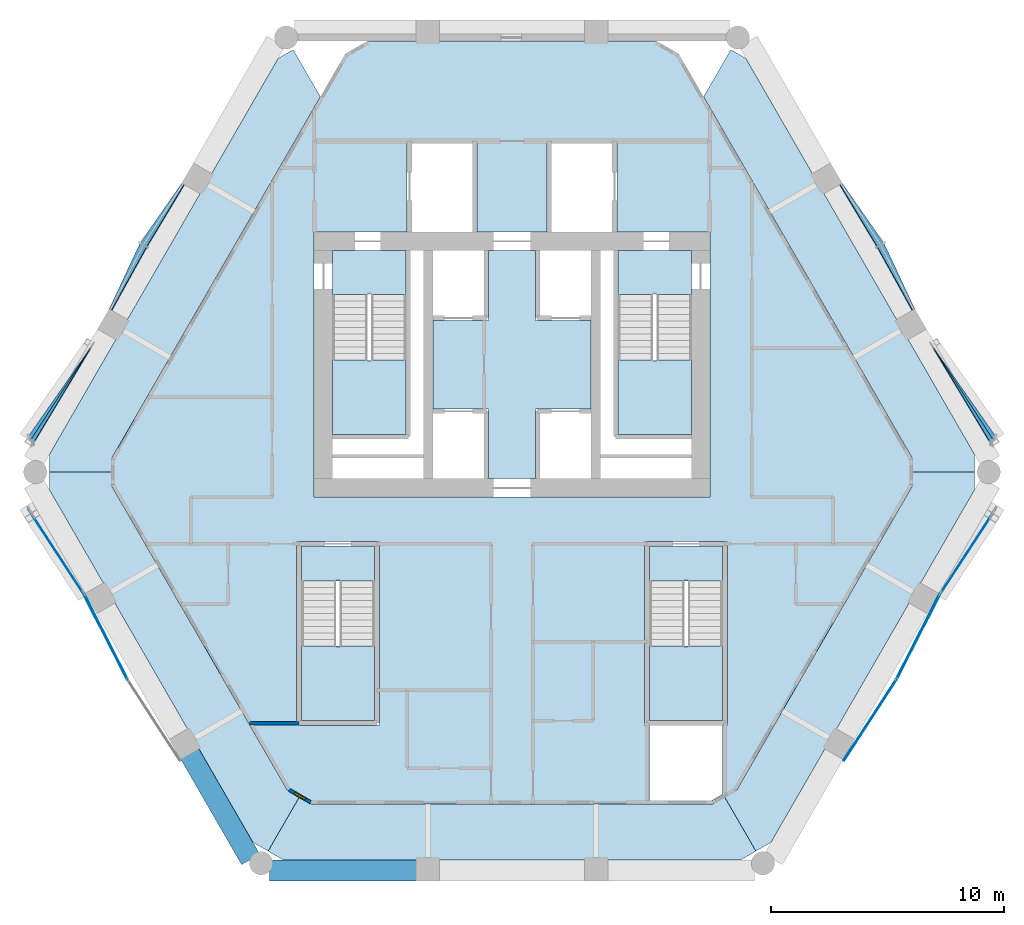
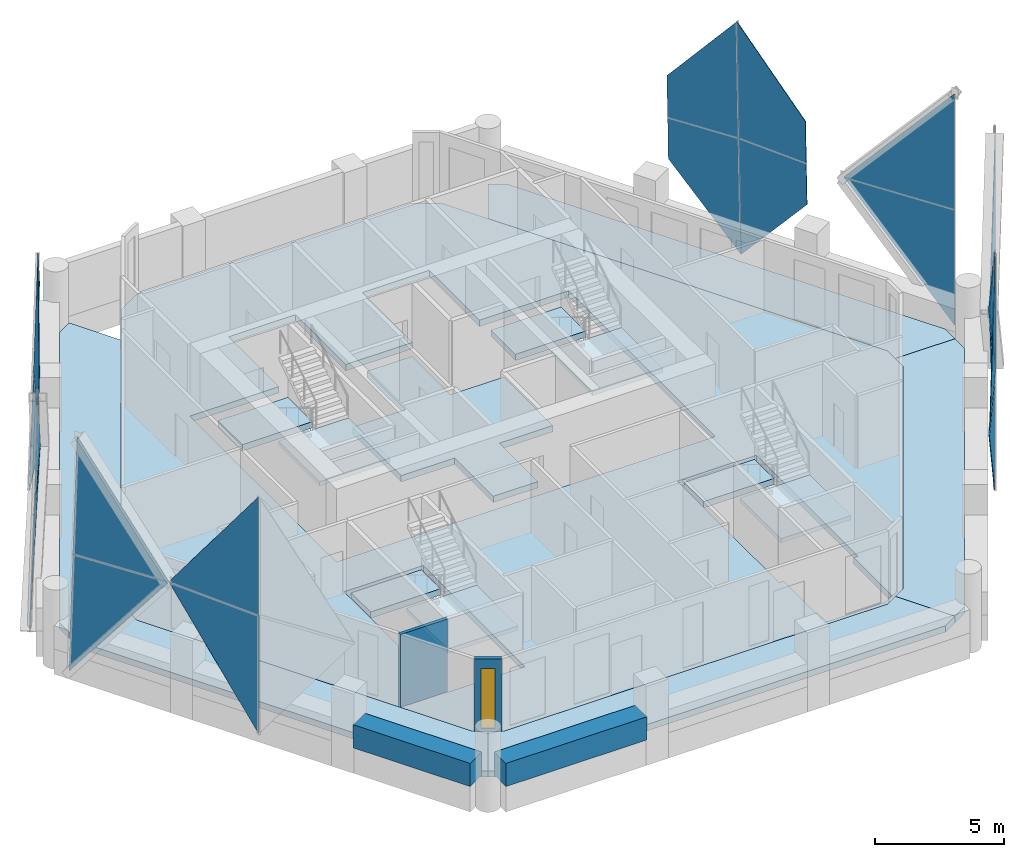
# One storey, part 6 of 13: 22 plates, 15 slabs, 4 walls, 1 window, 1 opening, 20 elements without a shape of their own.
"""IFC4 building model written with IfcOpenShell, lengths in metres."""

import ifcopenshell
import ifcopenshell.guid

model = None  # the IFC model being written
_history = None  # IfcOwnerHistory: only IFC2X3 demands one
_inside = {}  # id of a spatial element -> (the spatial element, [elements in it])
_under = {}  # id of a project, library or spatial element -> (it, [spatial elements below it])
_declared = {}  # id of a project -> (the project, [libraries it declares])
_typed = {}  # id of a type object -> (the type object, [elements of that type])
_made_of = {}  # id of a material, layer set ... -> (it, [elements and type objects made of it])


def new_model(schema):
    """Start an empty IFC model of exactly this schema.

    Asked for "IFC4X3", IfcOpenShell would pick the latest addendum, in which some entities
    have other attributes; the version numbers below select the first issue.
    IFC2X3 requires an IfcOwnerHistory on every rooted entity: one is made here for all.
    """
    global model, _history
    if schema == "IFC4X3":
        model = ifcopenshell.file(schema_version=(4, 3, 0, 0))
    else:
        model = ifcopenshell.file(schema=schema)
    _inside.clear()
    _under.clear()
    _declared.clear()
    _typed.clear()
    _made_of.clear()
    _history = None
    if model.schema == "IFC2X3":
        org = make("IfcOrganization", Name="unknown")
        user = make(
            "IfcPersonAndOrganization",
            ThePerson=make("IfcPerson", FamilyName="unknown"),
            TheOrganization=org,
        )
        app = make(
            "IfcApplication",
            ApplicationDeveloper=org,
            Version="unknown",
            ApplicationFullName="unknown",
            ApplicationIdentifier="unknown",
        )
        _history = make(
            "IfcOwnerHistory",
            OwningUser=user,
            OwningApplication=app,
            ChangeAction="ADDED",
            CreationDate=0,
        )
    return model


def make(cls, **values):
    """One entity of the class cls with the attributes given. An attribute that is None is left unset."""
    return model.create_entity(
        cls, **{name: value for name, value in values.items() if value is not None}
    )


def rooted(cls, **values):
    """An entity with a GlobalId (a new one), such as an element, a storey or a relation."""
    return make(cls, GlobalId=ifcopenshell.guid.new(), OwnerHistory=_history, **values)


def si_unit(unit_type, name, prefix=None):
    """IfcSIUnit, for example si_unit("LENGTHUNIT", "METRE", prefix="MILLI")."""
    return make("IfcSIUnit", UnitType=unit_type, Prefix=prefix, Name=name)


def assignment(units):
    """IfcUnitAssignment: the units of a project."""
    return None if units is None else make("IfcUnitAssignment", Units=units)


def point(xyz):
    """IfcCartesianPoint."""
    return None if xyz is None else make("IfcCartesianPoint", Coordinates=xyz)


def direction(xyz):
    """IfcDirection."""
    return None if xyz is None else make("IfcDirection", DirectionRatios=xyz)


def frame(location, z_axis=None, x_axis=None):
    """IfcAxis2Placement3D, a coordinate frame: its origin and axes. An axis left out is left unset."""
    return make(
        "IfcAxis2Placement3D",
        Location=point(location),
        Axis=direction(z_axis),
        RefDirection=direction(x_axis),
    )


def frame_2d(location, x_axis=None):
    """IfcAxis2Placement2D, a coordinate frame in the plane: its origin and x axis."""
    return make(
        "IfcAxis2Placement2D", Location=point(location), RefDirection=direction(x_axis)
    )


def origin():
    """The frame at (0, 0, 0) with its axes left unset."""
    return frame((0.0, 0.0, 0.0))


def place(relative_to, where):
    """IfcLocalPlacement: puts the frame where relative to a parent placement (None: the world)."""
    return make(
        "IfcLocalPlacement", PlacementRelTo=relative_to, RelativePlacement=where
    )


def context(
    kind, dimensions, precision=None, world=None, true_north=None, identifier=None
):
    """IfcGeometricRepresentationContext, for example the 3D "Model" context."""
    return make(
        "IfcGeometricRepresentationContext",
        ContextIdentifier=identifier,
        ContextType=kind,
        CoordinateSpaceDimension=dimensions,
        Precision=precision,
        WorldCoordinateSystem=world,
        TrueNorth=true_north,
    )


def subcontext(parent, identifier, kind, view, scale=None):
    """IfcGeometricRepresentationSubContext, for example "Body" below "Model"."""
    return make(
        "IfcGeometricRepresentationSubContext",
        ContextIdentifier=identifier,
        ContextType=kind,
        ParentContext=parent,
        TargetScale=scale,
        TargetView=view,
    )


def project(units=None, contexts=None):
    """IfcProject with its units and contexts."""
    return rooted(
        "IfcProject",
        Name="project",
        RepresentationContexts=contexts,
        UnitsInContext=assignment(units),
    )


def spatial(cls, under=None, at=None, **own):
    """A site, building, storey or space (cls), placed at a placement, below another one or the project."""
    s = rooted(cls, ObjectPlacement=at, **own)
    if under is not None:
        _under.setdefault(under.id(), (under, []))[1].append(s)
    return s


def polyline(points):
    """IfcPolyline through the points."""
    return make("IfcPolyline", Points=[point(p) for p in points])


def profile(cls, at=None, kind="AREA", **sizes):
    """A parametric profile (cls). Its sizes go by their IFC names, for example OverallWidth=200.0."""
    return make(cls, ProfileType=kind, Position=at, **sizes)


def rectangle(**sizes):
    """IfcRectangleProfileDef."""
    return profile("IfcRectangleProfileDef", **sizes)


def outline(outer, holes=None, kind="AREA"):
    """IfcArbitraryClosedProfileDef: a profile drawn as a closed curve; with holes, ...WithVoids."""
    if holes is None:
        return make("IfcArbitraryClosedProfileDef", ProfileType=kind, OuterCurve=outer)
    return make(
        "IfcArbitraryProfileDefWithVoids",
        ProfileType=kind,
        OuterCurve=outer,
        InnerCurves=holes,
    )


def extrude(swept, where, along, depth):
    """IfcExtrudedAreaSolid: the profile swept, set in the frame where, extruded along a direction by depth."""
    return make(
        "IfcExtrudedAreaSolid",
        SweptArea=swept,
        Position=where,
        ExtrudedDirection=direction(along),
        Depth=depth,
    )


def shape(context_of_items, identifier, shape_type, items):
    """IfcShapeRepresentation: the items that make up one representation, for example the "Body"."""
    return make(
        "IfcShapeRepresentation",
        ContextOfItems=context_of_items,
        RepresentationIdentifier=identifier,
        RepresentationType=shape_type,
        Items=items,
    )


def material(Name=None, Category=None):
    """IfcMaterial."""
    return make("IfcMaterial", Name=Name, Category=Category)


def layer(
    of_material, thickness, ventilated=None, Name=None, Category=None, Priority=None
):
    """IfcMaterialLayer: one layer of a wall or slab, of a material (None: an air gap)."""
    return make(
        "IfcMaterialLayer",
        Material=of_material,
        LayerThickness=thickness,
        IsVentilated=ventilated,
        Name=Name,
        Category=Category,
        Priority=Priority,
    )


def layer_set(layers, Name=None):
    """IfcMaterialLayerSet."""
    return make("IfcMaterialLayerSet", MaterialLayers=layers, LayerSetName=Name)


def made_of(thing, what):
    """Note that an element or type object is made of a material, layer set ...; save() writes the relation."""
    if what is not None:
        _made_of.setdefault(what.id(), (what, []))[1].append(thing)
    return thing


def type_object(cls, material=None, **own):
    """A type object (cls), such as IfcWallType, which elements share."""
    return made_of(rooted(cls, **own), material)


def element(
    cls,
    number,
    at=None,
    inside=None,
    cuts=None,
    type_object=None,
    material=None,
    context=None,
    identifier="Body",
    shape_type=None,
    held_by="IfcProductDefinitionShape",
    body=None,
    shapes=None,
    **own,
):
    """One element of the class cls, such as IfcWall. Its Tag is "e" and its number.

    at: its placement. inside: the storey or other place that contains it. cuts: it is an
    opening in that element (IfcRelVoidsElement). A single representation is given by context,
    identifier, shape_type and body (its items); several are given by shapes. held_by: the class
    of the entity that holds the representations. save() writes the other relations.
    """
    e = rooted(cls, Tag="e%d" % number, ObjectPlacement=at, **own)
    if body is not None:
        shapes = [shape(context, identifier, shape_type, body)]
    if shapes is not None:
        e.Representation = make(held_by, Representations=shapes)
    if inside is not None:
        _inside.setdefault(inside.id(), (inside, []))[1].append(e)
    if cuts is not None:
        rooted(
            "IfcRelVoidsElement", RelatingBuildingElement=cuts, RelatedOpeningElement=e
        )
    if type_object is not None:
        _typed.setdefault(type_object.id(), (type_object, []))[1].append(e)
    return made_of(e, material)


def fill(opening, filler):
    """IfcRelFillsElement: the door or window that sits in an opening."""
    return rooted(
        "IfcRelFillsElement",
        RelatingOpeningElement=opening,
        RelatedBuildingElement=filler,
    )


def aggregate(whole, parts):
    """IfcRelAggregates: a whole, such as a stair, and the parts it consists of."""
    return rooted("IfcRelAggregates", RelatingObject=whole, RelatedObjects=parts)


def save(model, path):
    """Write the relations noted so far, then the file.

    IfcRelAggregates (storeys below a building ...), IfcRelContainedInSpatialStructure (elements
    in a storey), IfcRelDefinesByType, IfcRelAssociatesMaterial and IfcRelDeclares: one each for
    every whole, place, type object, material and project.
    """
    for whole, parts in _under.values():
        aggregate(whole, parts)
    for where, things in _inside.values():
        rooted(
            "IfcRelContainedInSpatialStructure",
            RelatedElements=things,
            RelatingStructure=where,
        )
    for kind, things in _typed.values():
        rooted("IfcRelDefinesByType", RelatedObjects=things, RelatingType=kind)
    for what, things in _made_of.values():
        rooted("IfcRelAssociatesMaterial", RelatedObjects=things, RelatingMaterial=what)
    for by, libraries in _declared.values():
        rooted("IfcRelDeclares", RelatingContext=by, RelatedDefinitions=libraries)
    model.write(path)


model = new_model("IFC4")

# Units and contexts
model_context = context("Model", 3, precision=1e-05, world=origin(), true_north=direction((0.0, 1.0)))
body_context = subcontext(model_context, "Body", "Model", "MODEL_VIEW")
ifc_project = project(units=[si_unit("LENGTHUNIT", "METRE"), si_unit("AREAUNIT", "SQUARE_METRE"), si_unit("VOLUMEUNIT", "CUBIC_METRE"), si_unit("PLANEANGLEUNIT", "RADIAN"), si_unit("MASSUNIT", "GRAM", prefix="KILO")], contexts=[model_context])

# Site, building, storey
site_placement = place(None, origin())
site = spatial("IfcSite", under=ifc_project, at=site_placement, CompositionType="ELEMENT")
building_placement = place(site_placement, origin())
building = spatial("IfcBuilding", under=site, at=building_placement, Name="Ostrander Bayou Hotel Tower", CompositionType="ELEMENT")
storey_placement = place(building_placement, frame((0.0, 0.0, 187.0)))
storey = spatial("IfcBuildingStorey", under=building, at=storey_placement, Name="L46", CompositionType="ELEMENT", Elevation=187.0)

# Curtain wall, plate
ifc_material_1 = material(Name="Aluminium and clear glass", Category="aluminium")
curtain_wall_type = type_object("IfcCurtainWallType", Name="CW-LAT lattice glazing", PredefinedType="NOTDEFINED", material=ifc_material_1)
curtain_wall_1_placement = place(storey_placement, origin())
curtain_wall_1 = element("IfcCurtainWall", 1, at=curtain_wall_1_placement, inside=storey, type_object=curtain_wall_type, Name="CW-LAT L46 NW 1", PredefinedType="NOTDEFINED")
ifc_material_2 = material(Name="Clear laminated glass", Category="glass")
ifc_layer_1 = layer(ifc_material_2, 0.028076171875)
ifc_layer_set_1 = layer_set([ifc_layer_1], Name="CW-LA glazing panel 28 mm")
plate_type = type_object("IfcPlateType", Name="CW-LA glazing panel 28 mm", PredefinedType="CURTAIN_PANEL", material=ifc_layer_set_1)
plate_1_placement = place(storey_placement, frame((-14.189208984375, 11.785888671875, 3.02001953125), z_axis=(-0.838602468956, 0.54396936363, 0.029038431318), x_axis=(-0.373766781184, -0.535795511651, -0.75711396961)))
plate_1 = element("IfcPlate", 2, at=plate_1_placement, type_object=plate_type, Name="CW-LAT panel 1", PredefinedType="CURTAIN_PANEL", context=body_context, shape_type="SweptSolid", body=[
    extrude(outline(polyline([(0.0, 0.0), (4.781478234905528, 8.881784197001252e-16), (0.5136469195346458, 3.6678454354708214), (-1.5179287722609032, 1.3110363053022869), (0.0, 0.0)])), origin(), (0.0, 0.0, -1.0), 0.028076171875),
])

curtain_wall_2_placement = place(storey_placement, origin())
curtain_wall_2 = element("IfcCurtainWall", 3, at=curtain_wall_2_placement, inside=storey, type_object=curtain_wall_type, Name="CW-LAT L46 NW 2", PredefinedType="NOTDEFINED")
plate_2_placement = place(storey_placement, frame((-14.09033203125, 11.72412109375, 7.03466796875), z_axis=(-0.838616767356, 0.543946724103, 0.029049592886), x_axis=(-0.336117945339, -0.558694228961, 0.758212031919)))
plate_2 = element("IfcPlate", 4, at=plate_2_placement, type_object=plate_type, Name="CW-LAT panel 2", PredefinedType="CURTAIN_PANEL", context=body_context, shape_type="SweptSolid", body=[
    extrude(outline(polyline([(0.0, 0.0), (4.76809834277363, 0.0), (0.505056503462693, -3.673396164622437), (-1.5252028036468346, -1.3100935882440197), (0.0, 0.0)])), origin(), (0.0, 0.0, -1.0), 0.028076171875),
])

curtain_wall_3_placement = place(storey_placement, origin())
curtain_wall_3 = element("IfcCurtainWall", 5, at=curtain_wall_3_placement, inside=storey, type_object=curtain_wall_type, Name="CW-LAT L46 NW 3", PredefinedType="NOTDEFINED")
plate_3_placement = place(storey_placement, frame((-17.301513671875, 6.3955078125, 3.02001953125), z_axis=(-0.890380217309, 0.454289002308, 0.029061503851), x_axis=(0.277122256301, 0.591577990142, -0.757125311057)))
plate_3 = element("IfcPlate", 6, at=plate_3_placement, type_object=plate_type, Name="CW-LAT panel 3", PredefinedType="CURTAIN_PANEL", context=body_context, shape_type="SweptSolid", body=[
    extrude(outline(polyline([(0.0, 0.0), (4.781401169695921, -4.440892098500626e-16), (0.5133520142949435, -3.667591952245012), (-1.5193469572722185, -1.3093994580893582), (0.0, 0.0)])), origin(), (0.0, 0.0, -1.0), 0.028076171875),
])
aggregate(curtain_wall_3, [plate_3])

curtain_wall_4_placement = place(storey_placement, origin())
curtain_wall_4 = element("IfcCurtainWall", 7, at=curtain_wall_4_placement, inside=storey, type_object=curtain_wall_type, Name="CW-LAT L46 NW 4", PredefinedType="NOTDEFINED")
plate_4_placement = place(storey_placement, frame((-17.19970703125, 6.33837890625, 7.03173828125), z_axis=(-0.890383938373, 0.454282073572, 0.02905580699), x_axis=(0.315768310406, 0.570402638498, 0.7582421804)))
plate_4 = element("IfcPlate", 8, at=plate_4_placement, type_object=plate_type, Name="CW-LAT panel 4", PredefinedType="CURTAIN_PANEL", context=body_context, shape_type="SweptSolid", body=[
    extrude(outline(polyline([(0.0, 0.0), (4.771771087319028, -4.440892098500626e-16), (0.5085971194077816, 3.6732428195217177), (-1.521702969240965, 1.3096721408280203), (0.0, 0.0)])), origin(), (0.0, 0.0, -1.0), 0.028076171875),
])
aggregate(curtain_wall_4, [plate_4])

# Plate
plate_5_placement = place(storey_placement, frame((-18.035400390625, 4.82861328125, 5.02490234375), z_axis=(-0.838551868094, 0.544000445678, 0.029904508314), x_axis=(-0.370492532398, -0.52913304797, -0.763382932075)))
plate_5 = element("IfcPlate", 9, at=plate_5_placement, type_object=plate_type, Name="CW-LAT panel 5", PredefinedType="CURTAIN_PANEL", context=body_context, shape_type="SweptSolid", body=[
    extrude(outline(polyline([(0.0, 0.0), (7.368516852627291, 0.0), (3.126035352896376, 3.698331945286141), (0.0, 0.0)])), origin(), (0.0, 0.0, -1.0), 0.028076171875),
])

aggregate(curtain_wall_1, [plate_1, plate_5])

plate_6_placement = place(storey_placement, frame((-18.035400390625, 4.82861328125, 5.02490234375), z_axis=(-0.838551275777, 0.544000061419, 0.029928098305), x_axis=(-0.339681404235, -0.564971636118, 0.751946536662)))
plate_6 = element("IfcPlate", 10, at=plate_6_placement, type_object=plate_type, Name="CW-LAT panel 6", PredefinedType="CURTAIN_PANEL", context=body_context, shape_type="SweptSolid", body=[
    extrude(outline(polyline([(0.0, 0.0), (7.480585022662622, 0.0), (3.19042694915222, -3.6429290532763874), (0.0, 0.0)])), origin(), (0.0, 0.0, -1.0), 0.028076171875),
])

aggregate(curtain_wall_2, [plate_2, plate_6])

# Curtain wall, plate
curtain_wall_5_placement = place(storey_placement, origin())
curtain_wall_5 = element("IfcCurtainWall", 11, at=curtain_wall_5_placement, inside=storey, type_object=curtain_wall_type, Name="CW-LAT L46 SW 3", PredefinedType="NOTDEFINED")
plate_7_placement = place(storey_placement, frame((-18.400146484375, -5.82470703125, 5.02490234375), z_axis=(0.838037288447, 0.545610025189, 0.001789856174), x_axis=(-0.332612597638, 0.513475847469, -0.791019224772)))
plate_7 = element("IfcPlate", 12, at=plate_7_placement, type_object=plate_type, Name="CW-LAT panel 1", PredefinedType="CURTAIN_PANEL", context=body_context, shape_type="SweptSolid", body=[
    extrude(outline(polyline([(0.0, 0.0), (7.111078749854576, 0.0), (2.546178156146405, 3.292110420785706), (0.0, 0.0)])), origin(), (0.0, 0.0, -1.0), 0.028076171875),
])
aggregate(curtain_wall_5, [plate_7])

curtain_wall_6_placement = place(storey_placement, origin())
curtain_wall_6 = element("IfcCurtainWall", 13, at=curtain_wall_6_placement, inside=storey, type_object=curtain_wall_type, Name="CW-LAT L46 SW 4", PredefinedType="NOTDEFINED")
plate_8_placement = place(storey_placement, frame((-18.400146484375, -5.82470703125, 5.02490234375), z_axis=(0.838037252692, 0.54561000191, 0.001813537087), x_axis=(-0.316014019946, 0.482671178098, 0.816800877222)))
plate_8 = element("IfcPlate", 14, at=plate_8_placement, type_object=plate_type, Name="CW-LAT panel 2", PredefinedType="CURTAIN_PANEL", context=body_context, shape_type="SweptSolid", body=[
    extrude(outline(polyline([(0.0, 0.0), (6.886623358106408, -4.440892098500626e-16), (2.4010465941962913, -3.3994101661878537), (0.0, 0.0)])), origin(), (0.0, 0.0, -1.0), 0.028076171875),
])
aggregate(curtain_wall_6, [plate_8])

curtain_wall_7_placement = place(storey_placement, origin())
curtain_wall_7 = element("IfcCurtainWall", 15, at=curtain_wall_7_placement, inside=storey, type_object=curtain_wall_type, Name="CW-LAT L46 SW 1", PredefinedType="NOTDEFINED")
plate_9_placement = place(storey_placement, frame((-18.400146484375, -5.82470703125, 5.02490234375), z_axis=(-0.891534121732, -0.452953540429, 0.0), x_axis=(0.269398441938, -0.530248429236, -0.803903652669)))
plate_9 = element("IfcPlate", 16, at=plate_9_placement, type_object=plate_type, Name="CW-LAT panel 3", PredefinedType="CURTAIN_PANEL", context=body_context, shape_type="SweptSolid", body=[
    extrude(outline(polyline([(0.0, 0.0), (6.997107154978131, 0.0), (2.475149108717671, 3.3455224446803937), (0.0, 0.0)])), origin(), (0.0, 0.0, -1.0), 0.028076171875),
])
aggregate(curtain_wall_7, [plate_9])

curtain_wall_8_placement = place(storey_placement, origin())
curtain_wall_8 = element("IfcCurtainWall", 17, at=curtain_wall_8_placement, inside=storey, type_object=curtain_wall_type, Name="CW-LAT L46 SW 2", PredefinedType="NOTDEFINED")
plate_10_placement = place(storey_placement, frame((-18.400146484375, -5.82470703125, 5.02490234375), z_axis=(0.891534121732, 0.452953540429, 0.0), x_axis=(0.269398441938, -0.530248429236, 0.803903652669)))
plate_10 = element("IfcPlate", 18, at=plate_10_placement, type_object=plate_type, Name="CW-LAT panel 4", PredefinedType="CURTAIN_PANEL", context=body_context, shape_type="SweptSolid", body=[
    extrude(outline(polyline([(0.0, 0.0), (6.997107154978131, 0.0), (2.475149108717671, 3.3455224446803937), (0.0, 0.0)])), origin(), (0.0, 0.0, -1.0), 0.028076171875),
])
aggregate(curtain_wall_8, [plate_10])

curtain_wall_9_placement = place(storey_placement, origin())
curtain_wall_9 = element("IfcCurtainWall", 19, at=curtain_wall_9_placement, inside=storey, type_object=curtain_wall_type, Name="CW-LAT L46 SE 1", PredefinedType="NOTDEFINED")
plate_11_placement = place(storey_placement, frame((14.244384765625, -13.022705078125, 5.02490234375), z_axis=(0.838038630812, -0.545610899145, 0.0), x_axis=(0.324520190072, 0.49845128861, -0.803886160547)))
plate_11 = element("IfcPlate", 20, at=plate_11_placement, type_object=plate_type, Name="CW-LAT panel 1", PredefinedType="CURTAIN_PANEL", context=body_context, shape_type="SweptSolid", body=[
    extrude(outline(polyline([(0.0, 0.0), (6.997259408188533, 4.440892098500626e-16), (2.475399755111701, 3.3456554332261823), (0.0, 0.0)])), origin(), (0.0, 0.0, -1.0), 0.028076171875),
])

curtain_wall_10_placement = place(storey_placement, origin())
curtain_wall_10 = element("IfcCurtainWall", 21, at=curtain_wall_10_placement, inside=storey, type_object=curtain_wall_type, Name="CW-LAT L46 SE 2", PredefinedType="NOTDEFINED")
plate_12_placement = place(storey_placement, frame((14.244384765625, -13.022705078125, 5.02490234375), z_axis=(-0.838038630812, 0.545610899145, 0.0), x_axis=(0.324520190072, 0.49845128861, 0.803886160547)))
plate_12 = element("IfcPlate", 22, at=plate_12_placement, type_object=plate_type, Name="CW-LAT panel 2", PredefinedType="CURTAIN_PANEL", context=body_context, shape_type="SweptSolid", body=[
    extrude(outline(polyline([(0.0, 0.0), (6.997259408188533, 4.440892098500626e-16), (2.475399755111701, 3.3456554332261823), (0.0, 0.0)])), origin(), (0.0, 0.0, -1.0), 0.028076171875),
])

curtain_wall_11_placement = place(storey_placement, origin())
curtain_wall_11 = element("IfcCurtainWall", 23, at=curtain_wall_11_placement, inside=storey, type_object=curtain_wall_type, Name="CW-LAT L46 SE 3", PredefinedType="NOTDEFINED")
plate_13_placement = place(storey_placement, frame((18.400146484375, -5.82470703125, 5.02490234375), z_axis=(-0.891534121732, 0.452953540429, 0.0), x_axis=(-0.269398441938, -0.530248429236, -0.803903652669)))
plate_13 = element("IfcPlate", 24, at=plate_13_placement, type_object=plate_type, Name="CW-LAT panel 3", PredefinedType="CURTAIN_PANEL", context=body_context, shape_type="SweptSolid", body=[
    extrude(outline(polyline([(0.0, 0.0), (6.997107154978131, 0.0), (2.475149108717671, 3.3455224446803937), (0.0, 0.0)])), origin(), (0.0, 0.0, -1.0), 0.028076171875),
])
aggregate(curtain_wall_11, [plate_13])

curtain_wall_12_placement = place(storey_placement, origin())
curtain_wall_12 = element("IfcCurtainWall", 25, at=curtain_wall_12_placement, inside=storey, type_object=curtain_wall_type, Name="CW-LAT L46 SE 4", PredefinedType="NOTDEFINED")
plate_14_placement = place(storey_placement, frame((18.400146484375, -5.82470703125, 5.02490234375), z_axis=(0.891534121732, -0.452953540429, 0.0), x_axis=(-0.269398441938, -0.530248429236, 0.803903652669)))
plate_14 = element("IfcPlate", 26, at=plate_14_placement, type_object=plate_type, Name="CW-LAT panel 4", PredefinedType="CURTAIN_PANEL", context=body_context, shape_type="SweptSolid", body=[
    extrude(outline(polyline([(0.0, 0.0), (6.997107154978131, 0.0), (2.475149108717671, 3.3455224446803937), (0.0, 0.0)])), origin(), (0.0, 0.0, -1.0), 0.028076171875),
])
aggregate(curtain_wall_12, [plate_14])

# Plate
plate_15_placement = place(storey_placement, frame((18.400146484375, -5.82470703125, 5.02490234375), z_axis=(-0.838037288447, 0.545610025189, 0.001789856174), x_axis=(0.332612597638, 0.513475847469, -0.791019224772)))
plate_15 = element("IfcPlate", 27, at=plate_15_placement, type_object=plate_type, Name="CW-LAT panel 5", PredefinedType="CURTAIN_PANEL", context=body_context, shape_type="SweptSolid", body=[
    extrude(outline(polyline([(0.0, 0.0), (7.111078749854576, 0.0), (2.546178156146405, -3.292110420785706), (0.0, 0.0)])), origin(), (0.0, 0.0, -1.0), 0.028076171875),
])

aggregate(curtain_wall_9, [plate_11, plate_15])

plate_16_placement = place(storey_placement, frame((18.400146484375, -5.82470703125, 5.02490234375), z_axis=(-0.838037252692, 0.54561000191, 0.001813537087), x_axis=(0.316014019946, 0.482671178098, 0.816800877222)))
plate_16 = element("IfcPlate", 28, at=plate_16_placement, type_object=plate_type, Name="CW-LAT panel 6", PredefinedType="CURTAIN_PANEL", context=body_context, shape_type="SweptSolid", body=[
    extrude(outline(polyline([(0.0, 0.0), (6.886623358106408, 4.440892098500626e-16), (2.4010465941962913, 3.3994101661878537), (0.0, 0.0)])), origin(), (0.0, 0.0, -1.0), 0.028076171875),
])

aggregate(curtain_wall_10, [plate_12, plate_16])

# Curtain wall, plate
curtain_wall_13_placement = place(storey_placement, origin())
curtain_wall_13 = element("IfcCurtainWall", 29, at=curtain_wall_13_placement, inside=storey, type_object=curtain_wall_type, Name="CW-LAT L46 NE 3", PredefinedType="NOTDEFINED")
plate_17_placement = place(storey_placement, frame((18.035400390625, 4.82861328125, 5.02490234375), z_axis=(0.838551868094, 0.544000445678, 0.029904508314), x_axis=(0.370492532398, -0.52913304797, -0.763382932075)))
plate_17 = element("IfcPlate", 30, at=plate_17_placement, type_object=plate_type, Name="CW-LAT panel 1", PredefinedType="CURTAIN_PANEL", context=body_context, shape_type="SweptSolid", body=[
    extrude(outline(polyline([(0.0, 0.0), (7.368516852627291, 0.0), (3.126035352896376, -3.698331945286141), (0.0, 0.0)])), origin(), (0.0, 0.0, -1.0), 0.028076171875),
])

curtain_wall_14_placement = place(storey_placement, origin())
curtain_wall_14 = element("IfcCurtainWall", 31, at=curtain_wall_14_placement, inside=storey, type_object=curtain_wall_type, Name="CW-LAT L46 NE 4", PredefinedType="NOTDEFINED")
plate_18_placement = place(storey_placement, frame((18.035400390625, 4.82861328125, 5.02490234375), z_axis=(0.838551275777, 0.544000061419, 0.029928098305), x_axis=(0.339681404235, -0.564971636118, 0.751946536662)))
plate_18 = element("IfcPlate", 32, at=plate_18_placement, type_object=plate_type, Name="CW-LAT panel 2", PredefinedType="CURTAIN_PANEL", context=body_context, shape_type="SweptSolid", body=[
    extrude(outline(polyline([(0.0, 0.0), (7.480585022662622, 0.0), (3.19042694915222, 3.6429290532763874), (0.0, 0.0)])), origin(), (0.0, 0.0, -1.0), 0.028076171875),
])

curtain_wall_15_placement = place(storey_placement, origin())
curtain_wall_15 = element("IfcCurtainWall", 33, at=curtain_wall_15_placement, inside=storey, type_object=curtain_wall_type, Name="CW-LAT L46 NE 1", PredefinedType="NOTDEFINED")
plate_19_placement = place(storey_placement, frame((17.301513671875, 6.395263671875, 3.02001953125), z_axis=(0.890395777831, 0.454258654058, 0.029059147151), x_axis=(-0.277116301661, 0.591609947537, -0.757102519695)))
plate_19 = element("IfcPlate", 34, at=plate_19_placement, type_object=plate_type, Name="CW-LAT panel 3", PredefinedType="CURTAIN_PANEL", context=body_context, shape_type="SweptSolid", body=[
    extrude(outline(polyline([(0.0, 0.0), (4.781545603825103, -4.440892098500626e-16), (0.513621183686648, 3.6677371037921285), (-1.5178763123242844, 1.3111046955551622), (0.0, 0.0)])), origin(), (0.0, 0.0, -1.0), 0.028076171875),
])
aggregate(curtain_wall_15, [plate_19])

curtain_wall_16_placement = place(storey_placement, origin())
curtain_wall_16 = element("IfcCurtainWall", 35, at=curtain_wall_16_placement, inside=storey, type_object=curtain_wall_type, Name="CW-LAT L46 NE 2", PredefinedType="NOTDEFINED")
plate_20_placement = place(storey_placement, frame((17.198486328125, 6.340576171875, 7.03466796875), z_axis=(0.890397855053, 0.454257476989, 0.029013864203), x_axis=(-0.315723887003, 0.570426078018, 0.758243045924)))
plate_20 = element("IfcPlate", 36, at=plate_20_placement, type_object=plate_type, Name="CW-LAT panel 4", PredefinedType="CURTAIN_PANEL", context=body_context, shape_type="SweptSolid", body=[
    extrude(outline(polyline([(0.0, 0.0), (4.767910893659573, 0.0), (0.5047402646498689, -3.6732467002287246), (-1.5252685365125258, -1.3100050342238754), (0.0, 0.0)])), origin(), (0.0, 0.0, -1.0), 0.028076171875),
])
aggregate(curtain_wall_16, [plate_20])

# Plate
plate_21_placement = place(storey_placement, frame((14.189208984375, 11.785888671875, 3.02001953125), z_axis=(0.838602468956, 0.54396936363, 0.029038431318), x_axis=(0.373766781184, -0.535795511651, -0.75711396961)))
plate_21 = element("IfcPlate", 37, at=plate_21_placement, type_object=plate_type, Name="CW-LAT panel 5", PredefinedType="CURTAIN_PANEL", context=body_context, shape_type="SweptSolid", body=[
    extrude(outline(polyline([(0.0, 0.0), (4.781478234905528, -8.881784197001252e-16), (0.5136469195346458, -3.6678454354708214), (-1.5179287722609032, -1.3110363053022869), (0.0, 0.0)])), origin(), (0.0, 0.0, -1.0), 0.028076171875),
])

aggregate(curtain_wall_13, [plate_17, plate_21])

plate_22_placement = place(storey_placement, frame((14.09033203125, 11.72412109375, 7.03466796875), z_axis=(0.838616767356, 0.543946724103, 0.029049592886), x_axis=(0.336117945339, -0.558694228961, 0.758212031919)))
plate_22 = element("IfcPlate", 38, at=plate_22_placement, type_object=plate_type, Name="CW-LAT panel 6", PredefinedType="CURTAIN_PANEL", context=body_context, shape_type="SweptSolid", body=[
    extrude(outline(polyline([(0.0, 0.0), (4.76809834277363, 0.0), (0.505056503462693, 3.673396164622437), (-1.5252028036468346, 1.3100935882440197), (0.0, 0.0)])), origin(), (0.0, 0.0, -1.0), 0.028076171875),
])

aggregate(curtain_wall_14, [plate_18, plate_22])

# Slabs
ifc_material_3 = material(Name="Concrete f'c 40 MPa", Category="concrete")
ifc_layer_2 = layer(ifc_material_3, 0.300048828125)
ifc_layer_set_2 = layer_set([ifc_layer_2], Name="SL1 floor slab 300 mm f'c 40 MPa")
slab_type_1 = type_object("IfcSlabType", Name="SL1 floor slab 300 mm f'c 40 MPa", PredefinedType="FLOOR", material=ifc_layer_set_2)
slab_1_placement = place(storey_placement, frame((0.0, 0.0, -0.300048828125)))
element("IfcSlab", 39, at=slab_1_placement, inside=storey, type_object=slab_type_1, Name="SL1 L46 1", PredefinedType="FLOOR", context=body_context, shape_type="SweptSolid", body=[
    extrude(outline(polyline([(7.191650390625, 17.300048828125), (17.1923828125, -0.02197265625), (17.1923828125, -1.221923828125), (9.654296875, -14.278076171875), (8.614990234375, -14.878173828125), (-8.614990234375, -14.878173828125), (-9.654296875, -14.278076171875), (-17.1923828125, -1.221923828125), (-17.1923828125, -0.02197265625), (-7.191650390625, 17.300048828125), (-6.15234375, 17.89990234375), (6.15234375, 17.89990234375), (7.191650390625, 17.300048828125)]), holes=[polyline([(9.050048828125, -11.5), (9.25, -11.5), (9.25, -3.60009765625), (5.699951171875, -3.60009765625), (5.699951171875, -11.5), (5.89990234375, -11.5), (5.89990234375, -14.72802734375), (8.574951171875, -14.72802734375), (9.050048828125, -14.453857421875), (9.050048828125, -11.5)]), polyline([(-8.5, -1.699951171875), (8.5, -1.699951171875), (8.5, 9.699951171875), (4.5, 9.699951171875), (4.5, 13.60009765625), (1.5, 13.60009765625), (1.5, 9.699951171875), (-1.5, 9.699951171875), (-1.5, 13.60009765625), (-4.5, 13.60009765625), (-4.5, 9.699951171875), (-8.5, 9.699951171875), (-8.5, -1.699951171875)]), polyline([(-5.699951171875, -3.60009765625), (-9.25, -3.60009765625), (-9.25, -11.5), (-5.699951171875, -11.5), (-5.699951171875, -3.60009765625)])]), origin(), (0.0, 0.0, 1.0), 0.300048828125),
])
slab_2_placement = place(storey_placement, frame((0.0, 0.0, -0.300048828125)))
element("IfcSlab", 40, at=slab_2_placement, inside=storey, type_object=slab_type_1, Name="cslab:L46:001", PredefinedType="FLOOR", context=body_context, shape_type="SweptSolid", body=[
    extrude(outline(polyline([(-3.39990234375, 5.89990234375), (-1.0, 5.89990234375), (-1.0, 8.89990234375), (1.0, 8.89990234375), (1.0, 5.89990234375), (3.39990234375, 5.89990234375), (3.39990234375, 2.10009765625), (1.0, 2.10009765625), (1.0, -0.89990234375), (-1.0, -0.89990234375), (-1.0, 2.10009765625), (-3.39990234375, 2.10009765625), (-3.39990234375, 5.89990234375)])), origin(), (0.0, 0.0, 1.0), 0.300048828125),
])
slab_3_placement = place(storey_placement, frame((0.0, 0.0, -0.300048828125)))
element("IfcSlab", 41, at=slab_3_placement, inside=storey, type_object=slab_type_1, Name="cslab:L46:002", PredefinedType="FLOOR", context=body_context, shape_type="SweptSolid", body=[
    extrude(outline(polyline([(-4.550048828125, 7.0), (-4.550048828125, 8.89990234375), (-7.699951171875, 8.89990234375), (-7.699951171875, 7.0), (-4.550048828125, 7.0)])), origin(), (0.0, 0.0, 1.0), 0.300048828125),
])
slab_4_placement = place(storey_placement, frame((0.0, 0.0, -0.300048828125)))
element("IfcSlab", 42, at=slab_4_placement, inside=storey, type_object=slab_type_1, Name="cslab:L46:003", PredefinedType="FLOOR", context=body_context, shape_type="SweptSolid", body=[
    extrude(outline(polyline([(7.699951171875, 7.0), (7.699951171875, 8.89990234375), (4.550048828125, 8.89990234375), (4.550048828125, 7.0), (7.699951171875, 7.0)])), origin(), (0.0, 0.0, 1.0), 0.300048828125),
])
slab_5_placement = place(storey_placement, frame((0.0, 0.0, -0.300048828125)))
element("IfcSlab", 43, at=slab_5_placement, inside=storey, type_object=slab_type_1, Name="cslab:L46:004", PredefinedType="FLOOR", context=body_context, shape_type="SweptSolid", body=[
    extrude(outline(polyline([(9.050048828125, -5.300048828125), (9.050048828125, -3.800048828125), (5.89990234375, -3.800048828125), (5.89990234375, -5.300048828125), (9.050048828125, -5.300048828125)])), origin(), (0.0, 0.0, 1.0), 0.300048828125),
])
slab_6_placement = place(storey_placement, frame((0.0, 0.0, -0.300048828125)))
element("IfcSlab", 44, at=slab_6_placement, inside=storey, type_object=slab_type_1, Name="cslab:L46:005", PredefinedType="FLOOR", context=body_context, shape_type="SweptSolid", body=[
    extrude(outline(polyline([(-5.89990234375, -5.300048828125), (-5.89990234375, -3.800048828125), (-9.050048828125, -3.800048828125), (-9.050048828125, -5.300048828125), (-5.89990234375, -5.300048828125)])), origin(), (0.0, 0.0, 1.0), 0.300048828125),
])
ifc_material_4 = material(Name="Concrete f'c 40 MPa", Category="concrete")
ifc_layer_3 = layer(ifc_material_4, 0.300048828125)
ifc_layer_set_3 = layer_set([ifc_layer_3], Name="SL4 loggia slab 300 mm f'c 40 MPa")
slab_type_2 = type_object("IfcSlabType", Name="SL4 loggia slab 300 mm f'c 40 MPa", PredefinedType="FLOOR", material=ifc_layer_set_3)
slab_7_placement = place(storey_placement, frame((0.0, 0.0, -0.300048828125)))
element("IfcSlab", 45, at=slab_7_placement, inside=storey, type_object=slab_type_2, Name="SL4 LOGGIA L46 NW 1", PredefinedType="FLOOR", context=body_context, shape_type="SweptSolid", body=[
    extrude(outline(polyline([(-19.877197265625, -0.621826171875), (-19.877197265625, 0.128173828125), (-10.049560546875, 17.14990234375), (-9.39990234375, 17.52490234375), (-8.23095703125, 15.5), (-17.1923828125, -0.02197265625), (-17.1923828125, -0.621826171875), (-19.877197265625, -0.621826171875)])), origin(), (0.0, 0.0, 1.0), 0.300048828125),
])
slab_8_placement = place(storey_placement, frame((0.0, 0.0, -0.300048828125)))
element("IfcSlab", 46, at=slab_8_placement, inside=storey, type_object=slab_type_2, Name="SL4 LOGGIA L46 SW 1", PredefinedType="FLOOR", context=body_context, shape_type="SweptSolid", body=[
    extrude(outline(polyline([(-9.134765625, -14.578125), (-10.47705078125, -16.903076171875), (-11.126708984375, -16.528076171875), (-12.369873046875, -14.374755859375), (-17.5458984375, -5.40966796875), (-18.22509765625, -4.233154296875), (-19.877197265625, -1.371826171875), (-19.877197265625, -0.621826171875), (-17.1923828125, -0.621826171875), (-17.1923828125, -1.221923828125), (-9.654296875, -14.278076171875), (-9.134765625, -14.578125)])), origin(), (0.0, 0.0, 1.0), 0.300048828125),
])
slab_9_placement = place(storey_placement, frame((0.0, 0.0, -0.300048828125)))
element("IfcSlab", 47, at=slab_9_placement, inside=storey, type_object=slab_type_2, Name="SL4 LOGGIA L46 S 1", PredefinedType="FLOOR", context=body_context, shape_type="SweptSolid", body=[
    extrude(outline(polyline([(9.134765625, -14.578125), (10.47705078125, -16.903076171875), (9.82763671875, -17.278076171875), (4.088134765625, -17.278076171875), (3.148193359375, -17.278076171875), (-3.148193359375, -17.278076171875), (-4.088134765625, -17.278076171875), (-9.82763671875, -17.278076171875), (-10.47705078125, -16.903076171875), (-9.134765625, -14.578125), (-8.614990234375, -14.878173828125), (8.614990234375, -14.878173828125), (9.134765625, -14.578125)])), origin(), (0.0, 0.0, 1.0), 0.300048828125),
])
slab_10_placement = place(storey_placement, frame((0.0, 0.0, -0.300048828125)))
element("IfcSlab", 48, at=slab_10_placement, inside=storey, type_object=slab_type_2, Name="SL4 LOGGIA L46 SE 1", PredefinedType="FLOOR", context=body_context, shape_type="SweptSolid", body=[
    extrude(outline(polyline([(17.1923828125, -0.621826171875), (19.877197265625, -0.621826171875), (19.877197265625, -1.371826171875), (17.5458984375, -5.40966796875), (17.075927734375, -6.2236328125), (14.38671875, -10.881591796875), (13.457763671875, -12.490478515625), (11.126708984375, -16.528076171875), (10.47705078125, -16.903076171875), (9.134765625, -14.578125), (9.654296875, -14.278076171875), (17.1923828125, -1.221923828125), (17.1923828125, -0.621826171875)])), origin(), (0.0, 0.0, 1.0), 0.300048828125),
])
slab_11_placement = place(storey_placement, frame((0.0, 0.0, -0.300048828125)))
element("IfcSlab", 49, at=slab_11_placement, inside=storey, type_object=slab_type_2, Name="SL4 LOGGIA L46 NE 1", PredefinedType="FLOOR", context=body_context, shape_type="SweptSolid", body=[
    extrude(outline(polyline([(9.39990234375, 17.52490234375), (10.049560546875, 17.14990234375), (15.483642578125, 7.73779296875), (16.537353515625, 5.912841796875), (17.00732421875, 5.0986328125), (19.877197265625, 0.128173828125), (19.877197265625, -0.621826171875), (17.1923828125, -0.621826171875), (17.1923828125, -0.02197265625), (8.23095703125, 15.5), (9.39990234375, 17.52490234375)])), origin(), (0.0, 0.0, 1.0), 0.300048828125),
])

# Stair, slab
ifc_material_5 = material(Name="Concrete f'c 45 MPa", Category="concrete")
stair_type = type_object("IfcStairType", Name="ST1 exit stair 1500 mm f'c 45 MPa", PredefinedType="HALF_TURN_STAIR", material=ifc_material_5)
stair_1_placement = place(storey_placement, origin())
stair_1 = element("IfcStair", 50, at=stair_1_placement, inside=storey, type_object=stair_type, Name="L46 exit stair A", PredefinedType="HALF_TURN_STAIR")
ifc_material_6 = material(Name="Concrete f'c 45 MPa", Category="concrete")
ifc_layer_4 = layer(ifc_material_6, 0.199951171875)
ifc_layer_set_4 = layer_set([ifc_layer_4], Name="SL8 stair landing 200 mm f'c 45 MPa")
slab_type_3 = type_object("IfcSlabType", Name="SL8 stair landing 200 mm f'c 45 MPa", PredefinedType="LANDING", material=ifc_layer_set_4)
slab_12_placement = place(storey_placement, frame((0.0, 0.0, 1.675048828125)))
slab_12 = element("IfcSlab", 51, at=slab_12_placement, type_object=slab_type_3, Name="STA landing 1", PredefinedType="LANDING", context=body_context, shape_type="SweptSolid", body=[
    extrude(outline(polyline([(-7.699951171875, 4.199951171875), (-7.699951171875, 1.0), (-4.550048828125, 1.0), (-4.550048828125, 4.199951171875), (-7.699951171875, 4.199951171875)])), origin(), (0.0, 0.0, 1.0), 0.199951171875),
])
aggregate(stair_1, [slab_12])

stair_2_placement = place(storey_placement, origin())
stair_2 = element("IfcStair", 52, at=stair_2_placement, inside=storey, type_object=stair_type, Name="L46 exit stair B", PredefinedType="HALF_TURN_STAIR")
slab_13_placement = place(storey_placement, frame((0.0, 0.0, 1.675048828125)))
slab_13 = element("IfcSlab", 53, at=slab_13_placement, type_object=slab_type_3, Name="STB landing 1", PredefinedType="LANDING", context=body_context, shape_type="SweptSolid", body=[
    extrude(outline(polyline([(4.550048828125, 4.199951171875), (4.550048828125, 1.0), (7.699951171875, 1.0), (7.699951171875, 4.199951171875), (4.550048828125, 4.199951171875)])), origin(), (0.0, 0.0, 1.0), 0.199951171875),
])
aggregate(stair_2, [slab_13])

stair_3_placement = place(storey_placement, origin())
stair_3 = element("IfcStair", 54, at=stair_3_placement, inside=storey, type_object=stair_type, Name="L46 exit stair C", PredefinedType="HALF_TURN_STAIR")
slab_14_placement = place(storey_placement, frame((0.0, 0.0, 1.675048828125)))
slab_14 = element("IfcSlab", 55, at=slab_14_placement, type_object=slab_type_3, Name="STC landing 1", PredefinedType="LANDING", context=body_context, shape_type="SweptSolid", body=[
    extrude(outline(polyline([(5.89990234375, -8.10009765625), (5.89990234375, -11.300048828125), (9.050048828125, -11.300048828125), (9.050048828125, -8.10009765625), (5.89990234375, -8.10009765625)])), origin(), (0.0, 0.0, 1.0), 0.199951171875),
])
aggregate(stair_3, [slab_14])

stair_4_placement = place(storey_placement, origin())
stair_4 = element("IfcStair", 56, at=stair_4_placement, inside=storey, type_object=stair_type, Name="L46 exit stair D", PredefinedType="HALF_TURN_STAIR")
slab_15_placement = place(storey_placement, frame((0.0, 0.0, 1.675048828125)))
slab_15 = element("IfcSlab", 57, at=slab_15_placement, type_object=slab_type_3, Name="STD landing 1", PredefinedType="LANDING", context=body_context, shape_type="SweptSolid", body=[
    extrude(outline(polyline([(-9.050048828125, -8.10009765625), (-9.050048828125, -11.300048828125), (-5.89990234375, -11.300048828125), (-5.89990234375, -8.10009765625), (-9.050048828125, -8.10009765625)])), origin(), (0.0, 0.0, 1.0), 0.199951171875),
])
aggregate(stair_4, [slab_15])

# Wall, opening, window
ifc_material_7 = material(Name="Aluminium framed insulated wall", Category="aluminium")
ifc_layer_5 = layer(ifc_material_7, 0.14990234375)
ifc_layer_set_5 = layer_set([ifc_layer_5], Name="GW1 glass-line wall 150 mm")
wall_type_1 = type_object("IfcWallType", Name="GW1 glass-line wall 150 mm", PredefinedType="SOLIDWALL", material=ifc_layer_set_5)
wall_1_placement = place(storey_placement, frame((-9.572021484375, -14.2705078125, 0.0), z_axis=(0.0, 0.0, 1.0), x_axis=(0.865990848561, -0.500059846627, 0.0)))
wall_1 = element("IfcWall", 58, at=wall_1_placement, inside=storey, type_object=wall_type_1, Name="GW1 L46 corner 3", PredefinedType="SOLIDWALL", context=body_context, shape_type="SweptSolid", body=[
    extrude(rectangle(XDim=1.064697265625, YDim=0.14990234375, at=frame_2d((0.5322265625, 0.0))), origin(), (0.0, 0.0, 1.0), 3.449951171875),
])
opening_placement = place(wall_1_placement, frame((0.257568359375, 0.0, 0.14990234375)))
opening = element("IfcOpeningElement", 59, at=opening_placement, cuts=wall_1, Name="Opening W19", PredefinedType="OPENING", context=body_context, shape_type="SweptSolid", body=[
    extrude(rectangle(XDim=0.550048828125, YDim=2.85009765625, at=frame_2d((0.27490234375, 1.425048828125))), frame((0.0, 0.074951171875, 0.0), z_axis=(0.0, -1.0, 0.0), x_axis=(1.0, 0.0, 0.0)), (0.0, 0.0, 1.0), 0.14990234375),
])
ifc_material_8 = material(Name="Aluminium and clear glass", Category="aluminium")
window_type = type_object("IfcWindowType", Name="W19 corner window 550 mm", PartitioningType="SINGLE_PANEL", PredefinedType="WINDOW", material=ifc_material_8)
window_placement = place(opening_placement, origin())
window = element("IfcWindow", 60, at=window_placement, inside=storey, type_object=window_type, Name="W19 L46 corner 3", OverallHeight=2.85009765625, OverallWidth=0.550048828125, PartitioningType="SINGLE_PANEL", PredefinedType="WINDOW", context=body_context, shape_type="SweptSolid", body=[
    extrude(rectangle(XDim=0.550048828125, YDim=2.85009765625, at=frame_2d((0.27490234375, 1.425048828125))), frame((0.0, 0.030029296875, 0.0), z_axis=(0.0, -1.0, 0.0), x_axis=(1.0, 0.0, 0.0)), (0.0, 0.0, 1.0), 0.06005859375),
])
fill(opening, window)

# Walls
ifc_material_9 = material(Name="Concrete f'c 40 MPa", Category="concrete")
ifc_layer_6 = layer(ifc_material_9, 0.89990234375)
ifc_layer_set_6 = layer_set([ifc_layer_6], Name="PA1 stone-faced parapet 900 mm")
wall_type_2 = type_object("IfcWallType", Name="PA1 stone-faced parapet 900 mm", PredefinedType="PARAPET", material=ifc_layer_set_6)
wall_2_placement = place(storey_placement, frame((-10.410888671875, -17.72802734375, 0.0), z_axis=(0.0, 0.0, 1.0), x_axis=(1.0, 0.0, 0.0)))
element("IfcWall", 61, at=wall_2_placement, inside=storey, type_object=wall_type_2, Name="PA1 L46 S-1", PredefinedType="PARAPET", context=body_context, shape_type="SweptSolid", body=[
    extrude(rectangle(XDim=6.32275390625, YDim=0.89990234375, at=frame_2d((3.161376953125, 0.0))), origin(), (0.0, 0.0, 1.0), 1.10009765625),
])
ifc_material_10 = material(Name="Limestone masonry", Category="masonry")
ifc_layer_7 = layer(ifc_material_10, 0.89990234375)
ifc_layer_set_7 = layer_set([ifc_layer_7], Name="PA2 limestone parapet 900 mm")
wall_type_3 = type_object("IfcWallType", Name="PA2 limestone parapet 900 mm", PredefinedType="PARAPET", material=ifc_layer_set_7)
wall_3_placement = place(storey_placement, frame((-13.847412109375, -12.71533203125, 0.0), z_axis=(0.0, 0.0, 1.0), x_axis=(0.499988348136, -0.866032130887, 0.0)))
element("IfcWall", 62, at=wall_3_placement, inside=storey, type_object=wall_type_3, Name="PA2 L46 SW-3", PredefinedType="PARAPET", context=body_context, shape_type="SweptSolid", body=[
    extrude(rectangle(XDim=5.245849609375, YDim=0.89990234375, at=frame_2d((2.623046875, 0.0))), origin(), (0.0, 0.0, 1.0), 1.10009765625),
])
ifc_material_11 = material(Name="Gypsum board partition", Category="finish")
ifc_layer_8 = layer(ifc_material_11, 0.14990234375)
ifc_layer_set_8 = layer_set([ifc_layer_8], Name="PT8 service band wall 150 mm, 1 hour")
wall_type_4 = type_object("IfcWallType", Name="PT8 service band wall 150 mm, 1 hour", PredefinedType="PARTITIONING", material=ifc_layer_set_8)
wall_4_placement = place(storey_placement, frame((-11.281005859375, -11.39990234375, 0.0), z_axis=(0.0, 0.0, 1.0), x_axis=(1.0, 0.0, 0.0)))
element("IfcWall", 63, at=wall_4_placement, inside=storey, type_object=wall_type_4, Name="gw:L46:002", PredefinedType="PARTITIONING", context=body_context, shape_type="SweptSolid", body=[
    extrude(rectangle(XDim=2.12109375, YDim=0.14990234375, at=frame_2d((1.060546875, 0.0))), origin(), (0.0, 0.0, 1.0), 3.449951171875),
])

save(model, "model.ifc")
